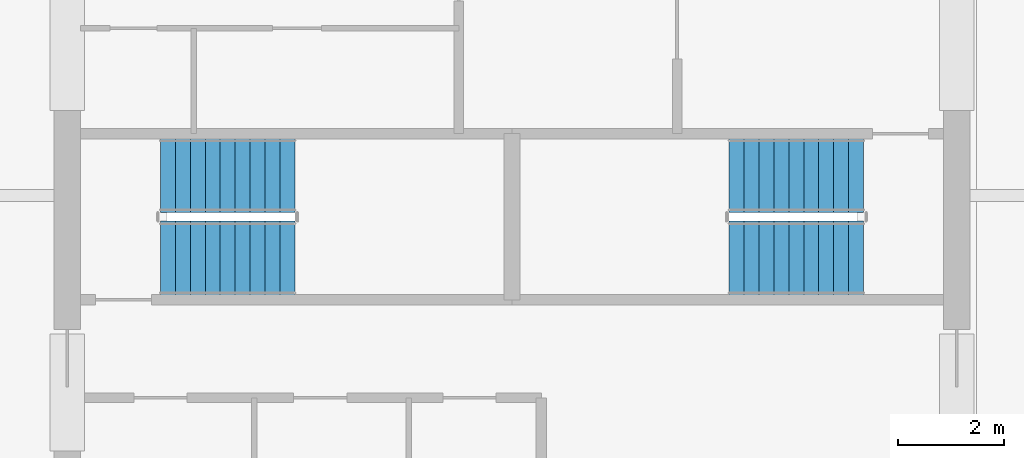
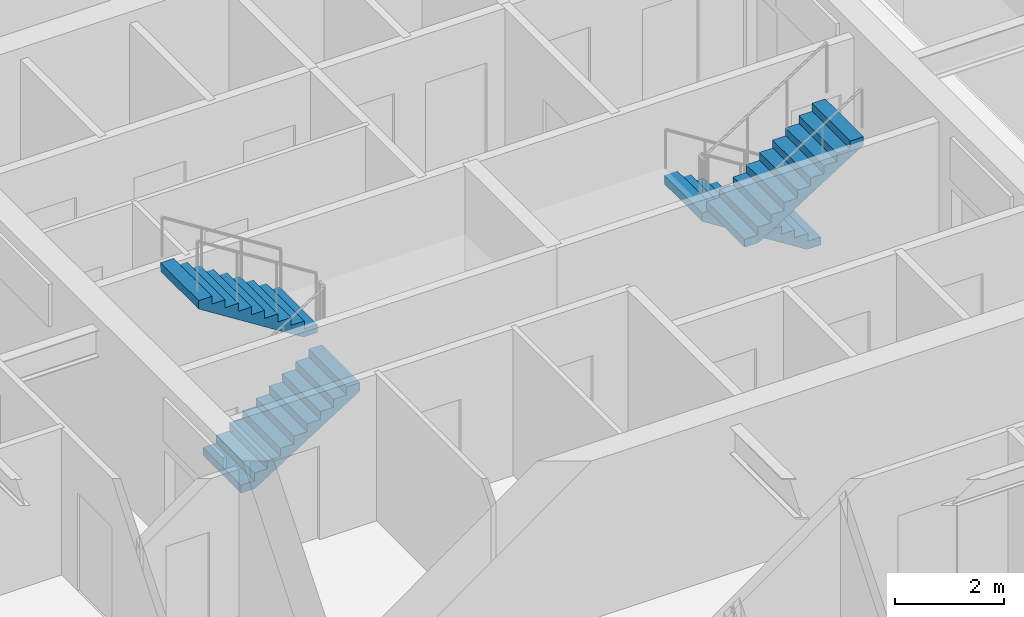
# One storey, part 30 of 32: 4 stair flights, 2 elements without a shape of their own.
"""IFC4 building model written with IfcOpenShell, lengths in metres."""

from ifc_helpers import new_model, si_unit, direction, frame, origin, place, context, subcontext, project, spatial, polyline, outline, extrude, material, type_object, element, aggregate, save


model = new_model("IFC4")

# Units and contexts
model_context = context("Model", 3, precision=1e-05, world=origin(), true_north=direction((0.0, 1.0)))
body_context = subcontext(model_context, "Body", "Model", "MODEL_VIEW")
ifc_project = project(units=[si_unit("LENGTHUNIT", "METRE"), si_unit("AREAUNIT", "SQUARE_METRE"), si_unit("VOLUMEUNIT", "CUBIC_METRE"), si_unit("PLANEANGLEUNIT", "RADIAN"), si_unit("MASSUNIT", "GRAM", prefix="KILO")], contexts=[model_context])

# Site, building, storey
site_placement = place(None, origin())
site = spatial("IfcSite", under=ifc_project, at=site_placement, CompositionType="ELEMENT")
building_placement = place(site_placement, origin())
building = spatial("IfcBuilding", under=site, at=building_placement, Name="Drelvath Grand Hotel", CompositionType="ELEMENT")
storey_placement = place(building_placement, frame((0.0, 0.0, 193.0)))
storey = spatial("IfcBuildingStorey", under=building, at=storey_placement, Name="L50", CompositionType="ELEMENT", Elevation=193.0)

# Stair, stair flights
ifc_material = material(Name="Concrete C40/50", Category="concrete")
stair_type = type_object("IfcStairType", Name="Dogleg Exit Stair W1400-R177.5", PredefinedType="HALF_TURN_STAIR", material=ifc_material)
stair_1_placement = place(storey_placement, origin())
stair_1 = element("IfcStair", 1, at=stair_1_placement, inside=storey, type_object=stair_type, Name="L50 Core Exit Stair ST-1", PredefinedType="HALF_TURN_STAIR")
stair_flight_type = type_object("IfcStairFlightType", Name="Concrete Stair Flight W1400-R177.5", PredefinedType="STRAIGHT", material=ifc_material)
stair_flight_1_placement = place(storey_placement, frame((-6.60009765625, 25.820068359375, 0.0), z_axis=(0.0, 0.0, 1.0), x_axis=(1.0, 0.0, 0.0)))
stair_flight_1 = element("IfcStairFlight", 2, at=stair_flight_1_placement, type_object=stair_flight_type, Name="ST-1 flight 1", NumberOfRisers=10, NumberOfTreads=9, PredefinedType="STRAIGHT", RiserHeight=0.1775, TreadLength=0.28, context=body_context, shape_type="SweptSolid", body=[
    extrude(outline(polyline([(0.0, 0.0), (0.0, 0.177490234375), (0.280029296875, 0.177490234375), (0.280029296875, 0.35498046875), (0.56005859375, 0.35498046875), (0.56005859375, 0.532470703125), (0.840087890625, 0.532470703125), (0.840087890625, 0.7099609375), (1.1201171875, 0.7099609375), (1.1201171875, 0.887451171875), (1.39990234375, 0.887451171875), (1.39990234375, 1.06494140625), (1.679931640625, 1.06494140625), (1.679931640625, 1.242431640625), (1.9599609375, 1.242431640625), (1.9599609375, 1.419921875), (2.239990234375, 1.419921875), (2.239990234375, 1.597412109375), (2.52001953125, 1.597412109375), (2.52001953125, 1.77490234375), (2.52001953125, 1.408203125), (0.298583984375, 0.0), (0.0, 0.0)])), frame((0.0, 0.699951171875, 0.0), z_axis=(0.0, -1.0, 0.0), x_axis=(1.0, 0.0, 0.0)), (0.0, 0.0, 1.0), 1.39990234375),
])
stair_flight_2_placement = place(storey_placement, frame((-4.080078125, 27.3798828125, 1.77490234375), z_axis=(0.0, 0.0, 1.0), x_axis=(-1.0, 0.0, 0.0)))
stair_flight_2 = element("IfcStairFlight", 3, at=stair_flight_2_placement, type_object=stair_flight_type, Name="ST-1 flight 2", NumberOfRisers=10, NumberOfTreads=9, PredefinedType="STRAIGHT", RiserHeight=0.1775, TreadLength=0.28, context=body_context, shape_type="SweptSolid", body=[
    extrude(outline(polyline([(0.0, 0.0), (0.0, 0.177490234375), (0.280029296875, 0.177490234375), (0.280029296875, 0.35498046875), (0.56005859375, 0.35498046875), (0.56005859375, 0.532470703125), (0.840087890625, 0.532470703125), (0.840087890625, 0.7099609375), (1.1201171875, 0.7099609375), (1.1201171875, 0.887451171875), (1.39990234375, 0.887451171875), (1.39990234375, 1.06494140625), (1.679931640625, 1.06494140625), (1.679931640625, 1.242431640625), (1.9599609375, 1.242431640625), (1.9599609375, 1.419921875), (2.239990234375, 1.419921875), (2.239990234375, 1.597412109375), (2.52001953125, 1.597412109375), (2.52001953125, 1.77490234375), (2.52001953125, 1.408203125), (0.298583984375, 0.0), (0.0, 0.0)])), frame((0.0, 0.699951171875, 0.0), z_axis=(0.0, -1.0, 0.0), x_axis=(1.0, 0.0, 0.0)), (0.0, 0.0, 1.0), 1.39990234375),
])
aggregate(stair_1, [stair_flight_1, stair_flight_2])

stair_2_placement = place(storey_placement, origin())
stair_2 = element("IfcStair", 4, at=stair_2_placement, inside=storey, type_object=stair_type, Name="L50 Core Exit Stair ST-2", PredefinedType="HALF_TURN_STAIR")
stair_flight_3_placement = place(storey_placement, frame((6.60009765625, 27.3798828125, 0.0), z_axis=(0.0, 0.0, 1.0), x_axis=(-1.0, 0.0, 0.0)))
stair_flight_3 = element("IfcStairFlight", 5, at=stair_flight_3_placement, type_object=stair_flight_type, Name="ST-2 flight 1", NumberOfRisers=10, NumberOfTreads=9, PredefinedType="STRAIGHT", RiserHeight=0.1775, TreadLength=0.28, context=body_context, shape_type="SweptSolid", body=[
    extrude(outline(polyline([(0.0, 0.0), (0.0, 0.177490234375), (0.280029296875, 0.177490234375), (0.280029296875, 0.35498046875), (0.56005859375, 0.35498046875), (0.56005859375, 0.532470703125), (0.840087890625, 0.532470703125), (0.840087890625, 0.7099609375), (1.1201171875, 0.7099609375), (1.1201171875, 0.887451171875), (1.39990234375, 0.887451171875), (1.39990234375, 1.06494140625), (1.679931640625, 1.06494140625), (1.679931640625, 1.242431640625), (1.9599609375, 1.242431640625), (1.9599609375, 1.419921875), (2.239990234375, 1.419921875), (2.239990234375, 1.597412109375), (2.52001953125, 1.597412109375), (2.52001953125, 1.77490234375), (2.52001953125, 1.408203125), (0.298583984375, 0.0), (0.0, 0.0)])), frame((0.0, 0.699951171875, 0.0), z_axis=(0.0, -1.0, 0.0), x_axis=(1.0, 0.0, 0.0)), (0.0, 0.0, 1.0), 1.39990234375),
])
stair_flight_4_placement = place(storey_placement, frame((4.080078125, 25.820068359375, 1.77490234375), z_axis=(0.0, 0.0, 1.0), x_axis=(1.0, 0.0, 0.0)))
stair_flight_4 = element("IfcStairFlight", 6, at=stair_flight_4_placement, type_object=stair_flight_type, Name="ST-2 flight 2", NumberOfRisers=10, NumberOfTreads=9, PredefinedType="STRAIGHT", RiserHeight=0.1775, TreadLength=0.28, context=body_context, shape_type="SweptSolid", body=[
    extrude(outline(polyline([(0.0, 0.0), (0.0, 0.177490234375), (0.280029296875, 0.177490234375), (0.280029296875, 0.35498046875), (0.56005859375, 0.35498046875), (0.56005859375, 0.532470703125), (0.840087890625, 0.532470703125), (0.840087890625, 0.7099609375), (1.1201171875, 0.7099609375), (1.1201171875, 0.887451171875), (1.39990234375, 0.887451171875), (1.39990234375, 1.06494140625), (1.679931640625, 1.06494140625), (1.679931640625, 1.242431640625), (1.9599609375, 1.242431640625), (1.9599609375, 1.419921875), (2.239990234375, 1.419921875), (2.239990234375, 1.597412109375), (2.52001953125, 1.597412109375), (2.52001953125, 1.77490234375), (2.52001953125, 1.408203125), (0.298583984375, 0.0), (0.0, 0.0)])), frame((0.0, 0.699951171875, 0.0), z_axis=(0.0, -1.0, 0.0), x_axis=(1.0, 0.0, 0.0)), (0.0, 0.0, 1.0), 1.39990234375),
])
aggregate(stair_2, [stair_flight_3, stair_flight_4])

save(model, "model.ifc")
